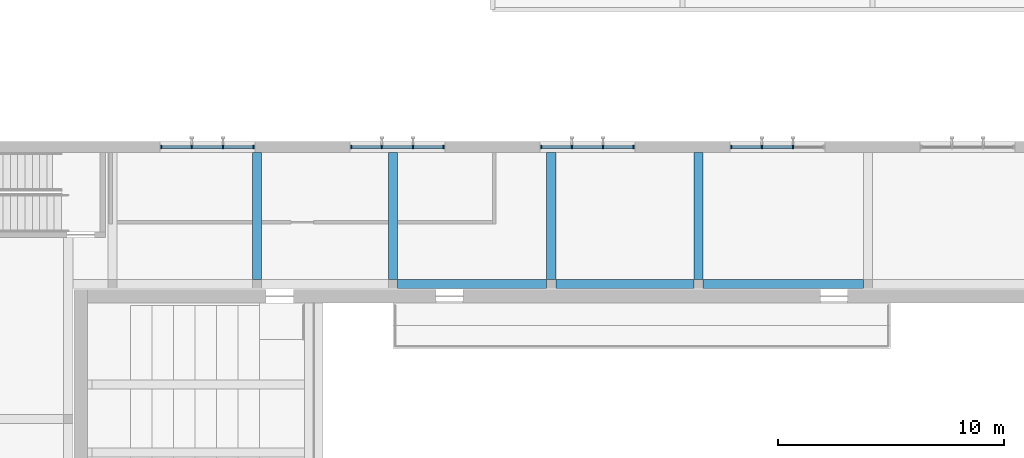
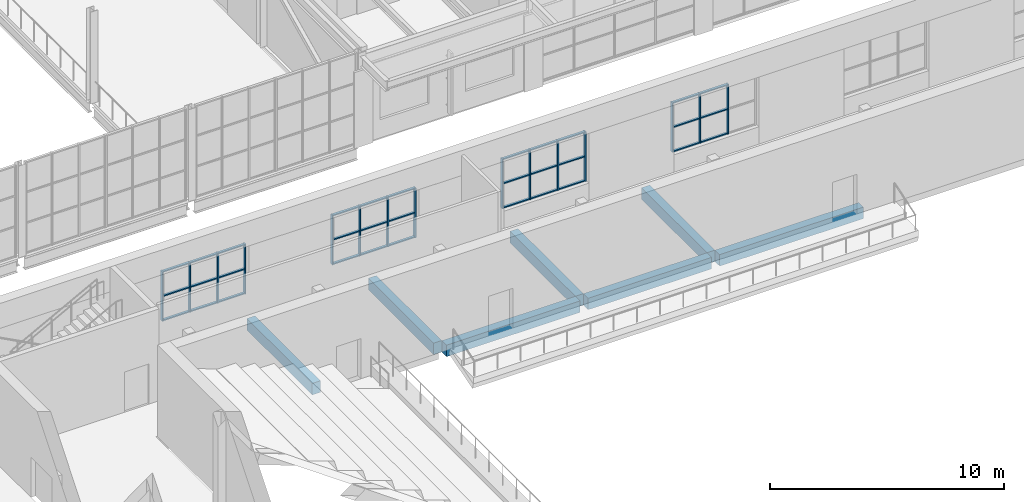
# One storey, part 34 of 116: 48 members, 7 beams, 4 elements without a shape of their own.
"""IFC4 building model written with IfcOpenShell, lengths in metres."""

from ifc_helpers import new_model, si_unit, direction, frame, origin, origin_2d, place, context, subcontext, project, spatial, rectangle, extrude, material, material_profile, profile_set, type_object, element, aggregate, save


model = new_model("IFC4")

# Units and contexts
model_context = context("Model", 3, precision=1e-05, world=origin(), true_north=direction((0.0, 1.0)))
body_context = subcontext(model_context, "Body", "Model", "MODEL_VIEW")
ifc_project = project(units=[si_unit("LENGTHUNIT", "METRE"), si_unit("AREAUNIT", "SQUARE_METRE"), si_unit("VOLUMEUNIT", "CUBIC_METRE"), si_unit("PLANEANGLEUNIT", "RADIAN"), si_unit("MASSUNIT", "GRAM", prefix="KILO")], contexts=[model_context])

# Site, building, storey
site_placement = place(None, origin())
site = spatial("IfcSite", under=ifc_project, at=site_placement, CompositionType="ELEMENT")
building_placement = place(site_placement, origin())
building = spatial("IfcBuilding", under=site, at=building_placement, Name="Ljudholm Concert House", CompositionType="ELEMENT")
storey_placement = place(building_placement, frame((0.0, 0.0, 10.199951171875)))
storey = spatial("IfcBuildingStorey", under=building, at=storey_placement, Name="L02", CompositionType="ELEMENT", Elevation=10.199951171875)

# Curtain wall, members
ifc_material_1 = material(Name="Aluminium curtain wall with impact-rated laminated glass", Category="aluminium")
curtain_wall_type = type_object("IfcCurtainWallType", Name="CURTAIN WALL 1400", PredefinedType="NOTDEFINED", material=ifc_material_1)
curtain_wall_1_placement = place(storey_placement, origin())
curtain_wall_1 = element("IfcCurtainWall", 1, at=curtain_wall_1_placement, inside=storey, type_object=curtain_wall_type, Name="Promenade curtain wall", PredefinedType="NOTDEFINED")
ifc_material_2 = material(Name="Aluminium extrusion", Category="aluminium")
ifc_material_profile_1 = material_profile(ifc_material_2, rectangle(XDim=0.159912109375, YDim=0.06005859375, at=origin_2d()), Name="MULLION 60x160")
ifc_profile_set_1 = profile_set([ifc_material_profile_1], Name="Aluminium extrusion")
member_type_1 = type_object("IfcMemberType", Name="MULLION 60x160", PredefinedType="MULLION", material=ifc_profile_set_1)
member_1_placement = place(storey_placement, frame((39.760009765625, 96.39990234375, 0.900146484375), z_axis=(0.0, 0.0, 1.0), x_axis=(0.0, 1.0, 0.0)))
member_1 = element("IfcMember", 2, at=member_1_placement, type_object=member_type_1, Name="Mullion", PredefinedType="MULLION", context=body_context, shape_type="SweptSolid", body=[
    extrude(rectangle(XDim=0.159912109375, YDim=0.06005859375, at=origin_2d()), origin(), (0.0, 0.0, 1.0), 2.599853515625),
])
member_2_placement = place(storey_placement, frame((41.110107421875, 96.39990234375, 0.900146484375), z_axis=(0.0, 0.0, 1.0), x_axis=(0.0, 1.0, 0.0)))
member_2 = element("IfcMember", 3, at=member_2_placement, type_object=member_type_1, Name="Mullion", PredefinedType="MULLION", context=body_context, shape_type="SweptSolid", body=[
    extrude(rectangle(XDim=0.159912109375, YDim=0.06005859375, at=origin_2d()), origin(), (0.0, 0.0, 1.0), 2.599853515625),
])
member_3_placement = place(storey_placement, frame((42.489990234375, 96.39990234375, 0.900146484375), z_axis=(0.0, 0.0, 1.0), x_axis=(0.0, 1.0, 0.0)))
member_3 = element("IfcMember", 4, at=member_3_placement, type_object=member_type_1, Name="Mullion", PredefinedType="MULLION", context=body_context, shape_type="SweptSolid", body=[
    extrude(rectangle(XDim=0.159912109375, YDim=0.06005859375, at=origin_2d()), origin(), (0.0, 0.0, 1.0), 2.599853515625),
])
member_4_placement = place(storey_placement, frame((43.840087890625, 96.39990234375, 0.900146484375), z_axis=(0.0, 0.0, 1.0), x_axis=(0.0, 1.0, 0.0)))
member_4 = element("IfcMember", 5, at=member_4_placement, type_object=member_type_1, Name="Mullion", PredefinedType="MULLION", context=body_context, shape_type="SweptSolid", body=[
    extrude(rectangle(XDim=0.159912109375, YDim=0.06005859375, at=origin_2d()), origin(), (0.0, 0.0, 1.0), 2.599853515625),
])

curtain_wall_2_placement = place(storey_placement, origin())
curtain_wall_2 = element("IfcCurtainWall", 6, at=curtain_wall_2_placement, inside=storey, type_object=curtain_wall_type, Name="Promenade curtain wall", PredefinedType="NOTDEFINED")
member_5_placement = place(storey_placement, frame((48.159912109375, 96.39990234375, 0.900146484375), z_axis=(0.0, 0.0, 1.0), x_axis=(0.0, 1.0, 0.0)))
member_5 = element("IfcMember", 7, at=member_5_placement, type_object=member_type_1, Name="Mullion", PredefinedType="MULLION", context=body_context, shape_type="SweptSolid", body=[
    extrude(rectangle(XDim=0.159912109375, YDim=0.06005859375, at=origin_2d()), origin(), (0.0, 0.0, 1.0), 2.599853515625),
])
member_6_placement = place(storey_placement, frame((49.510009765625, 96.39990234375, 0.900146484375), z_axis=(0.0, 0.0, 1.0), x_axis=(0.0, 1.0, 0.0)))
member_6 = element("IfcMember", 8, at=member_6_placement, type_object=member_type_1, Name="Mullion", PredefinedType="MULLION", context=body_context, shape_type="SweptSolid", body=[
    extrude(rectangle(XDim=0.159912109375, YDim=0.06005859375, at=origin_2d()), origin(), (0.0, 0.0, 1.0), 2.599853515625),
])
member_7_placement = place(storey_placement, frame((50.889892578125, 96.39990234375, 0.900146484375), z_axis=(0.0, 0.0, 1.0), x_axis=(0.0, 1.0, 0.0)))
member_7 = element("IfcMember", 9, at=member_7_placement, type_object=member_type_1, Name="Mullion", PredefinedType="MULLION", context=body_context, shape_type="SweptSolid", body=[
    extrude(rectangle(XDim=0.159912109375, YDim=0.06005859375, at=origin_2d()), origin(), (0.0, 0.0, 1.0), 2.599853515625),
])
member_8_placement = place(storey_placement, frame((52.239990234375, 96.39990234375, 0.900146484375), z_axis=(0.0, 0.0, 1.0), x_axis=(0.0, 1.0, 0.0)))
member_8 = element("IfcMember", 10, at=member_8_placement, type_object=member_type_1, Name="Mullion", PredefinedType="MULLION", context=body_context, shape_type="SweptSolid", body=[
    extrude(rectangle(XDim=0.159912109375, YDim=0.06005859375, at=origin_2d()), origin(), (0.0, 0.0, 1.0), 2.599853515625),
])

curtain_wall_3_placement = place(storey_placement, origin())
curtain_wall_3 = element("IfcCurtainWall", 11, at=curtain_wall_3_placement, inside=storey, type_object=curtain_wall_type, Name="Promenade curtain wall", PredefinedType="NOTDEFINED")
member_9_placement = place(storey_placement, frame((56.56005859375, 96.39990234375, 0.900146484375), z_axis=(0.0, 0.0, 1.0), x_axis=(0.0, 1.0, 0.0)))
member_9 = element("IfcMember", 12, at=member_9_placement, type_object=member_type_1, Name="Mullion", PredefinedType="MULLION", context=body_context, shape_type="SweptSolid", body=[
    extrude(rectangle(XDim=0.159912109375, YDim=0.06005859375, at=origin_2d()), origin(), (0.0, 0.0, 1.0), 2.599853515625),
])
member_10_placement = place(storey_placement, frame((57.909912109375, 96.39990234375, 0.900146484375), z_axis=(0.0, 0.0, 1.0), x_axis=(0.0, 1.0, 0.0)))
member_10 = element("IfcMember", 13, at=member_10_placement, type_object=member_type_1, Name="Mullion", PredefinedType="MULLION", context=body_context, shape_type="SweptSolid", body=[
    extrude(rectangle(XDim=0.159912109375, YDim=0.06005859375, at=origin_2d()), origin(), (0.0, 0.0, 1.0), 2.599853515625),
])
member_11_placement = place(storey_placement, frame((59.2900390625, 96.39990234375, 0.900146484375), z_axis=(0.0, 0.0, 1.0), x_axis=(0.0, 1.0, 0.0)))
member_11 = element("IfcMember", 14, at=member_11_placement, type_object=member_type_1, Name="Mullion", PredefinedType="MULLION", context=body_context, shape_type="SweptSolid", body=[
    extrude(rectangle(XDim=0.159912109375, YDim=0.06005859375, at=origin_2d()), origin(), (0.0, 0.0, 1.0), 2.599853515625),
])
member_12_placement = place(storey_placement, frame((60.639892578125, 96.39990234375, 0.900146484375), z_axis=(0.0, 0.0, 1.0), x_axis=(0.0, 1.0, 0.0)))
member_12 = element("IfcMember", 15, at=member_12_placement, type_object=member_type_1, Name="Mullion", PredefinedType="MULLION", context=body_context, shape_type="SweptSolid", body=[
    extrude(rectangle(XDim=0.159912109375, YDim=0.06005859375, at=origin_2d()), origin(), (0.0, 0.0, 1.0), 2.599853515625),
])

curtain_wall_4_placement = place(storey_placement, origin())
curtain_wall_4 = element("IfcCurtainWall", 16, at=curtain_wall_4_placement, inside=storey, type_object=curtain_wall_type, Name="Promenade curtain wall", PredefinedType="NOTDEFINED")
member_13_placement = place(storey_placement, frame((64.9599609375, 96.39990234375, 0.900146484375), z_axis=(0.0, 0.0, 1.0), x_axis=(0.0, 1.0, 0.0)))
member_13 = element("IfcMember", 17, at=member_13_placement, type_object=member_type_1, Name="Mullion", PredefinedType="MULLION", context=body_context, shape_type="SweptSolid", body=[
    extrude(rectangle(XDim=0.159912109375, YDim=0.06005859375, at=origin_2d()), origin(), (0.0, 0.0, 1.0), 2.599853515625),
])
member_14_placement = place(storey_placement, frame((66.31005859375, 96.39990234375, 0.900146484375), z_axis=(0.0, 0.0, 1.0), x_axis=(0.0, 1.0, 0.0)))
member_14 = element("IfcMember", 18, at=member_14_placement, type_object=member_type_1, Name="Mullion", PredefinedType="MULLION", context=body_context, shape_type="SweptSolid", body=[
    extrude(rectangle(XDim=0.159912109375, YDim=0.06005859375, at=origin_2d()), origin(), (0.0, 0.0, 1.0), 2.599853515625),
])
member_15_placement = place(storey_placement, frame((67.68994140625, 96.39990234375, 0.900146484375), z_axis=(0.0, 0.0, 1.0), x_axis=(0.0, 1.0, 0.0)))
member_15 = element("IfcMember", 19, at=member_15_placement, type_object=member_type_1, Name="Mullion", PredefinedType="MULLION", context=body_context, shape_type="SweptSolid", body=[
    extrude(rectangle(XDim=0.159912109375, YDim=0.06005859375, at=origin_2d()), origin(), (0.0, 0.0, 1.0), 2.599853515625),
])

# Beams
ifc_material_3 = material(Name="Concrete 6,500 psi", Category="concrete")
ifc_material_profile_2 = material_profile(ifc_material_3, rectangle(XDim=0.39990234375, YDim=0.60009765625, at=origin_2d()), Name="RC BEAM 400x600")
ifc_profile_set_2 = profile_set([ifc_material_profile_2], Name="Concrete 6,500 psi")
beam_type = type_object("IfcBeamType", Name="RC BEAM 400x600", PredefinedType="BEAM", material=ifc_profile_set_2)
beam_1_placement = place(storey_placement, frame((50.199951171875, 90.35009765625, -0.550048828125), z_axis=(1.0, 0.0, 0.0), x_axis=(0.0, 1.0, 0.0)))
element("IfcBeam", 20, at=beam_1_placement, inside=storey, type_object=beam_type, Name="Ring beam", PredefinedType="BEAM", context=body_context, shape_type="SweptSolid", body=[
    extrude(rectangle(XDim=0.39990234375, YDim=0.60009765625, at=origin_2d()), origin(), (0.0, 0.0, 1.0), 6.60009765625),
])
beam_2_placement = place(storey_placement, frame((57.199951171875, 90.35009765625, -0.550048828125), z_axis=(1.0, 0.0, 0.0), x_axis=(0.0, 1.0, 0.0)))
element("IfcBeam", 21, at=beam_2_placement, inside=storey, type_object=beam_type, Name="Ring beam", PredefinedType="BEAM", context=body_context, shape_type="SweptSolid", body=[
    extrude(rectangle(XDim=0.39990234375, YDim=0.60009765625, at=origin_2d()), origin(), (0.0, 0.0, 1.0), 6.10009765625),
])
beam_3_placement = place(storey_placement, frame((63.699951171875, 90.35009765625, -0.550048828125), z_axis=(1.0, 0.0, 0.0), x_axis=(0.0, 1.0, 0.0)))
element("IfcBeam", 22, at=beam_3_placement, inside=storey, type_object=beam_type, Name="Ring beam", PredefinedType="BEAM", context=body_context, shape_type="SweptSolid", body=[
    extrude(rectangle(XDim=0.39990234375, YDim=0.60009765625, at=origin_2d()), origin(), (0.0, 0.0, 1.0), 7.10009765625),
])
for number, where, z_axis, x_axis, name in (
    (23, (44.0, 90.550048828125, -0.550048828125), (0.0, 1.0, 0.0), (-1.0, 0.0, 0.0), "Ring cross beam"),
    (24, (50.0, 90.550048828125, -0.550048828125), (0.0, 1.0, 0.0), (-1.0, 0.0, 0.0), "Ring cross beam"),
    (25, (57.0, 90.550048828125, -0.550048828125), (0.0, 1.0, 0.0), (-1.0, 0.0, 0.0), "Ring cross beam"),
    (26, (63.5, 90.550048828125, -0.550048828125), (0.0, 1.0, 0.0), (-1.0, 0.0, 0.0), "Ring cross beam"),
):
    element("IfcBeam", number, at=place(storey_placement, frame(where, z_axis=z_axis, x_axis=x_axis)), inside=storey, type_object=beam_type, Name=name, PredefinedType="BEAM", context=body_context, shape_type="SweptSolid", body=[
        extrude(rectangle(XDim=0.39990234375, YDim=0.60009765625, at=origin_2d()), origin(), (0.0, 0.0, 1.0), 5.599853515625),
    ])

# Member
ifc_material_4 = material(Name="Aluminium extrusion", Category="aluminium")
ifc_material_profile_3 = material_profile(ifc_material_4, rectangle(XDim=0.1201171875, YDim=0.06005859375, at=origin_2d()), Name="TRANSOM 60x120")
ifc_profile_set_3 = profile_set([ifc_material_profile_3], Name="Aluminium extrusion")
member_type_2 = type_object("IfcMemberType", Name="TRANSOM 60x120", PredefinedType="USERDEFINED", material=ifc_profile_set_3)
member_16_placement = place(storey_placement, frame((39.7900390625, 96.39990234375, 0.929931640625), z_axis=(1.0, 0.0, 0.0), x_axis=(0.0, 1.0, 0.0)))
member_16 = element("IfcMember", 27, at=member_16_placement, type_object=member_type_2, Name="Transom", ObjectType="TRANSOM", PredefinedType="USERDEFINED", context=body_context, shape_type="SweptSolid", body=[
    extrude(rectangle(XDim=0.1201171875, YDim=0.06005859375, at=origin_2d()), origin(), (0.0, 0.0, 1.0), 1.2900390625),
])

member_17_placement = place(storey_placement, frame((39.7900390625, 96.39990234375, 2.199951171875), z_axis=(1.0, 0.0, 0.0), x_axis=(0.0, 1.0, 0.0)))
member_17 = element("IfcMember", 28, at=member_17_placement, type_object=member_type_2, Name="Transom", ObjectType="TRANSOM", PredefinedType="USERDEFINED", context=body_context, shape_type="SweptSolid", body=[
    extrude(rectangle(XDim=0.1201171875, YDim=0.06005859375, at=origin_2d()), origin(), (0.0, 0.0, 1.0), 1.2900390625),
])

member_18_placement = place(storey_placement, frame((39.7900390625, 96.39990234375, 3.469970703125), z_axis=(1.0, 0.0, 0.0), x_axis=(0.0, 1.0, 0.0)))
member_18 = element("IfcMember", 29, at=member_18_placement, type_object=member_type_2, Name="Transom", ObjectType="TRANSOM", PredefinedType="USERDEFINED", context=body_context, shape_type="SweptSolid", body=[
    extrude(rectangle(XDim=0.1201171875, YDim=0.06005859375, at=origin_2d()), origin(), (0.0, 0.0, 1.0), 1.2900390625),
])

member_19_placement = place(storey_placement, frame((41.139892578125, 96.39990234375, 0.929931640625), z_axis=(1.0, 0.0, 0.0), x_axis=(0.0, 1.0, 0.0)))
member_19 = element("IfcMember", 30, at=member_19_placement, type_object=member_type_2, Name="Transom", ObjectType="TRANSOM", PredefinedType="USERDEFINED", context=body_context, shape_type="SweptSolid", body=[
    extrude(rectangle(XDim=0.1201171875, YDim=0.06005859375, at=origin_2d()), origin(), (0.0, 0.0, 1.0), 1.320068359375),
])

member_20_placement = place(storey_placement, frame((41.139892578125, 96.39990234375, 2.199951171875), z_axis=(1.0, 0.0, 0.0), x_axis=(0.0, 1.0, 0.0)))
member_20 = element("IfcMember", 31, at=member_20_placement, type_object=member_type_2, Name="Transom", ObjectType="TRANSOM", PredefinedType="USERDEFINED", context=body_context, shape_type="SweptSolid", body=[
    extrude(rectangle(XDim=0.1201171875, YDim=0.06005859375, at=origin_2d()), origin(), (0.0, 0.0, 1.0), 1.320068359375),
])

member_21_placement = place(storey_placement, frame((41.139892578125, 96.39990234375, 3.469970703125), z_axis=(1.0, 0.0, 0.0), x_axis=(0.0, 1.0, 0.0)))
member_21 = element("IfcMember", 32, at=member_21_placement, type_object=member_type_2, Name="Transom", ObjectType="TRANSOM", PredefinedType="USERDEFINED", context=body_context, shape_type="SweptSolid", body=[
    extrude(rectangle(XDim=0.1201171875, YDim=0.06005859375, at=origin_2d()), origin(), (0.0, 0.0, 1.0), 1.320068359375),
])

member_22_placement = place(storey_placement, frame((42.52001953125, 96.39990234375, 0.929931640625), z_axis=(1.0, 0.0, 0.0), x_axis=(0.0, 1.0, 0.0)))
member_22 = element("IfcMember", 33, at=member_22_placement, type_object=member_type_2, Name="Transom", ObjectType="TRANSOM", PredefinedType="USERDEFINED", context=body_context, shape_type="SweptSolid", body=[
    extrude(rectangle(XDim=0.1201171875, YDim=0.06005859375, at=origin_2d()), origin(), (0.0, 0.0, 1.0), 1.2900390625),
])

member_23_placement = place(storey_placement, frame((42.52001953125, 96.39990234375, 2.199951171875), z_axis=(1.0, 0.0, 0.0), x_axis=(0.0, 1.0, 0.0)))
member_23 = element("IfcMember", 34, at=member_23_placement, type_object=member_type_2, Name="Transom", ObjectType="TRANSOM", PredefinedType="USERDEFINED", context=body_context, shape_type="SweptSolid", body=[
    extrude(rectangle(XDim=0.1201171875, YDim=0.06005859375, at=origin_2d()), origin(), (0.0, 0.0, 1.0), 1.2900390625),
])

member_24_placement = place(storey_placement, frame((42.52001953125, 96.39990234375, 3.469970703125), z_axis=(1.0, 0.0, 0.0), x_axis=(0.0, 1.0, 0.0)))
member_24 = element("IfcMember", 35, at=member_24_placement, type_object=member_type_2, Name="Transom", ObjectType="TRANSOM", PredefinedType="USERDEFINED", context=body_context, shape_type="SweptSolid", body=[
    extrude(rectangle(XDim=0.1201171875, YDim=0.06005859375, at=origin_2d()), origin(), (0.0, 0.0, 1.0), 1.2900390625),
])

aggregate(curtain_wall_1, [member_1, member_2, member_3, member_4, member_16, member_17, member_18, member_19, member_20, member_21, member_22, member_23, member_24])

member_25_placement = place(storey_placement, frame((48.18994140625, 96.39990234375, 0.929931640625), z_axis=(1.0, 0.0, 0.0), x_axis=(0.0, 1.0, 0.0)))
member_25 = element("IfcMember", 36, at=member_25_placement, type_object=member_type_2, Name="Transom", ObjectType="TRANSOM", PredefinedType="USERDEFINED", context=body_context, shape_type="SweptSolid", body=[
    extrude(rectangle(XDim=0.1201171875, YDim=0.06005859375, at=origin_2d()), origin(), (0.0, 0.0, 1.0), 1.2900390625),
])

member_26_placement = place(storey_placement, frame((48.18994140625, 96.39990234375, 2.199951171875), z_axis=(1.0, 0.0, 0.0), x_axis=(0.0, 1.0, 0.0)))
member_26 = element("IfcMember", 37, at=member_26_placement, type_object=member_type_2, Name="Transom", ObjectType="TRANSOM", PredefinedType="USERDEFINED", context=body_context, shape_type="SweptSolid", body=[
    extrude(rectangle(XDim=0.1201171875, YDim=0.06005859375, at=origin_2d()), origin(), (0.0, 0.0, 1.0), 1.2900390625),
])

member_27_placement = place(storey_placement, frame((48.18994140625, 96.39990234375, 3.469970703125), z_axis=(1.0, 0.0, 0.0), x_axis=(0.0, 1.0, 0.0)))
member_27 = element("IfcMember", 38, at=member_27_placement, type_object=member_type_2, Name="Transom", ObjectType="TRANSOM", PredefinedType="USERDEFINED", context=body_context, shape_type="SweptSolid", body=[
    extrude(rectangle(XDim=0.1201171875, YDim=0.06005859375, at=origin_2d()), origin(), (0.0, 0.0, 1.0), 1.2900390625),
])

member_28_placement = place(storey_placement, frame((49.5400390625, 96.39990234375, 0.929931640625), z_axis=(1.0, 0.0, 0.0), x_axis=(0.0, 1.0, 0.0)))
member_28 = element("IfcMember", 39, at=member_28_placement, type_object=member_type_2, Name="Transom", ObjectType="TRANSOM", PredefinedType="USERDEFINED", context=body_context, shape_type="SweptSolid", body=[
    extrude(rectangle(XDim=0.1201171875, YDim=0.06005859375, at=origin_2d()), origin(), (0.0, 0.0, 1.0), 1.320068359375),
])

member_29_placement = place(storey_placement, frame((49.5400390625, 96.39990234375, 2.199951171875), z_axis=(1.0, 0.0, 0.0), x_axis=(0.0, 1.0, 0.0)))
member_29 = element("IfcMember", 40, at=member_29_placement, type_object=member_type_2, Name="Transom", ObjectType="TRANSOM", PredefinedType="USERDEFINED", context=body_context, shape_type="SweptSolid", body=[
    extrude(rectangle(XDim=0.1201171875, YDim=0.06005859375, at=origin_2d()), origin(), (0.0, 0.0, 1.0), 1.320068359375),
])

member_30_placement = place(storey_placement, frame((49.5400390625, 96.39990234375, 3.469970703125), z_axis=(1.0, 0.0, 0.0), x_axis=(0.0, 1.0, 0.0)))
member_30 = element("IfcMember", 41, at=member_30_placement, type_object=member_type_2, Name="Transom", ObjectType="TRANSOM", PredefinedType="USERDEFINED", context=body_context, shape_type="SweptSolid", body=[
    extrude(rectangle(XDim=0.1201171875, YDim=0.06005859375, at=origin_2d()), origin(), (0.0, 0.0, 1.0), 1.320068359375),
])

member_31_placement = place(storey_placement, frame((50.919921875, 96.39990234375, 0.929931640625), z_axis=(1.0, 0.0, 0.0), x_axis=(0.0, 1.0, 0.0)))
member_31 = element("IfcMember", 42, at=member_31_placement, type_object=member_type_2, Name="Transom", ObjectType="TRANSOM", PredefinedType="USERDEFINED", context=body_context, shape_type="SweptSolid", body=[
    extrude(rectangle(XDim=0.1201171875, YDim=0.06005859375, at=origin_2d()), origin(), (0.0, 0.0, 1.0), 1.2900390625),
])

member_32_placement = place(storey_placement, frame((50.919921875, 96.39990234375, 2.199951171875), z_axis=(1.0, 0.0, 0.0), x_axis=(0.0, 1.0, 0.0)))
member_32 = element("IfcMember", 43, at=member_32_placement, type_object=member_type_2, Name="Transom", ObjectType="TRANSOM", PredefinedType="USERDEFINED", context=body_context, shape_type="SweptSolid", body=[
    extrude(rectangle(XDim=0.1201171875, YDim=0.06005859375, at=origin_2d()), origin(), (0.0, 0.0, 1.0), 1.2900390625),
])

member_33_placement = place(storey_placement, frame((50.919921875, 96.39990234375, 3.469970703125), z_axis=(1.0, 0.0, 0.0), x_axis=(0.0, 1.0, 0.0)))
member_33 = element("IfcMember", 44, at=member_33_placement, type_object=member_type_2, Name="Transom", ObjectType="TRANSOM", PredefinedType="USERDEFINED", context=body_context, shape_type="SweptSolid", body=[
    extrude(rectangle(XDim=0.1201171875, YDim=0.06005859375, at=origin_2d()), origin(), (0.0, 0.0, 1.0), 1.2900390625),
])

aggregate(curtain_wall_2, [member_5, member_6, member_7, member_8, member_25, member_26, member_27, member_28, member_29, member_30, member_31, member_32, member_33])

member_34_placement = place(storey_placement, frame((56.590087890625, 96.39990234375, 0.929931640625), z_axis=(1.0, 0.0, 0.0), x_axis=(0.0, 1.0, 0.0)))
member_34 = element("IfcMember", 45, at=member_34_placement, type_object=member_type_2, Name="Transom", ObjectType="TRANSOM", PredefinedType="USERDEFINED", context=body_context, shape_type="SweptSolid", body=[
    extrude(rectangle(XDim=0.1201171875, YDim=0.06005859375, at=origin_2d()), origin(), (0.0, 0.0, 1.0), 1.289794921875),
])

member_35_placement = place(storey_placement, frame((56.590087890625, 96.39990234375, 2.199951171875), z_axis=(1.0, 0.0, 0.0), x_axis=(0.0, 1.0, 0.0)))
member_35 = element("IfcMember", 46, at=member_35_placement, type_object=member_type_2, Name="Transom", ObjectType="TRANSOM", PredefinedType="USERDEFINED", context=body_context, shape_type="SweptSolid", body=[
    extrude(rectangle(XDim=0.1201171875, YDim=0.06005859375, at=origin_2d()), origin(), (0.0, 0.0, 1.0), 1.289794921875),
])

member_36_placement = place(storey_placement, frame((56.590087890625, 96.39990234375, 3.469970703125), z_axis=(1.0, 0.0, 0.0), x_axis=(0.0, 1.0, 0.0)))
member_36 = element("IfcMember", 47, at=member_36_placement, type_object=member_type_2, Name="Transom", ObjectType="TRANSOM", PredefinedType="USERDEFINED", context=body_context, shape_type="SweptSolid", body=[
    extrude(rectangle(XDim=0.1201171875, YDim=0.06005859375, at=origin_2d()), origin(), (0.0, 0.0, 1.0), 1.289794921875),
])

member_37_placement = place(storey_placement, frame((57.93994140625, 96.39990234375, 0.929931640625), z_axis=(1.0, 0.0, 0.0), x_axis=(0.0, 1.0, 0.0)))
member_37 = element("IfcMember", 48, at=member_37_placement, type_object=member_type_2, Name="Transom", ObjectType="TRANSOM", PredefinedType="USERDEFINED", context=body_context, shape_type="SweptSolid", body=[
    extrude(rectangle(XDim=0.1201171875, YDim=0.06005859375, at=origin_2d()), origin(), (0.0, 0.0, 1.0), 1.320068359375),
])

member_38_placement = place(storey_placement, frame((57.93994140625, 96.39990234375, 2.199951171875), z_axis=(1.0, 0.0, 0.0), x_axis=(0.0, 1.0, 0.0)))
member_38 = element("IfcMember", 49, at=member_38_placement, type_object=member_type_2, Name="Transom", ObjectType="TRANSOM", PredefinedType="USERDEFINED", context=body_context, shape_type="SweptSolid", body=[
    extrude(rectangle(XDim=0.1201171875, YDim=0.06005859375, at=origin_2d()), origin(), (0.0, 0.0, 1.0), 1.320068359375),
])

member_39_placement = place(storey_placement, frame((57.93994140625, 96.39990234375, 3.469970703125), z_axis=(1.0, 0.0, 0.0), x_axis=(0.0, 1.0, 0.0)))
member_39 = element("IfcMember", 50, at=member_39_placement, type_object=member_type_2, Name="Transom", ObjectType="TRANSOM", PredefinedType="USERDEFINED", context=body_context, shape_type="SweptSolid", body=[
    extrude(rectangle(XDim=0.1201171875, YDim=0.06005859375, at=origin_2d()), origin(), (0.0, 0.0, 1.0), 1.320068359375),
])

member_40_placement = place(storey_placement, frame((59.320068359375, 96.39990234375, 0.929931640625), z_axis=(1.0, 0.0, 0.0), x_axis=(0.0, 1.0, 0.0)))
member_40 = element("IfcMember", 51, at=member_40_placement, type_object=member_type_2, Name="Transom", ObjectType="TRANSOM", PredefinedType="USERDEFINED", context=body_context, shape_type="SweptSolid", body=[
    extrude(rectangle(XDim=0.1201171875, YDim=0.06005859375, at=origin_2d()), origin(), (0.0, 0.0, 1.0), 1.2900390625),
])

member_41_placement = place(storey_placement, frame((59.320068359375, 96.39990234375, 2.199951171875), z_axis=(1.0, 0.0, 0.0), x_axis=(0.0, 1.0, 0.0)))
member_41 = element("IfcMember", 52, at=member_41_placement, type_object=member_type_2, Name="Transom", ObjectType="TRANSOM", PredefinedType="USERDEFINED", context=body_context, shape_type="SweptSolid", body=[
    extrude(rectangle(XDim=0.1201171875, YDim=0.06005859375, at=origin_2d()), origin(), (0.0, 0.0, 1.0), 1.2900390625),
])

member_42_placement = place(storey_placement, frame((59.320068359375, 96.39990234375, 3.469970703125), z_axis=(1.0, 0.0, 0.0), x_axis=(0.0, 1.0, 0.0)))
member_42 = element("IfcMember", 53, at=member_42_placement, type_object=member_type_2, Name="Transom", ObjectType="TRANSOM", PredefinedType="USERDEFINED", context=body_context, shape_type="SweptSolid", body=[
    extrude(rectangle(XDim=0.1201171875, YDim=0.06005859375, at=origin_2d()), origin(), (0.0, 0.0, 1.0), 1.2900390625),
])

aggregate(curtain_wall_3, [member_9, member_10, member_11, member_12, member_34, member_35, member_36, member_37, member_38, member_39, member_40, member_41, member_42])

member_43_placement = place(storey_placement, frame((64.989990234375, 96.39990234375, 0.929931640625), z_axis=(1.0, 0.0, 0.0), x_axis=(0.0, 1.0, 0.0)))
member_43 = element("IfcMember", 54, at=member_43_placement, type_object=member_type_2, Name="Transom", ObjectType="TRANSOM", PredefinedType="USERDEFINED", context=body_context, shape_type="SweptSolid", body=[
    extrude(rectangle(XDim=0.1201171875, YDim=0.06005859375, at=origin_2d()), origin(), (0.0, 0.0, 1.0), 1.2900390625),
])

member_44_placement = place(storey_placement, frame((64.989990234375, 96.39990234375, 2.199951171875), z_axis=(1.0, 0.0, 0.0), x_axis=(0.0, 1.0, 0.0)))
member_44 = element("IfcMember", 55, at=member_44_placement, type_object=member_type_2, Name="Transom", ObjectType="TRANSOM", PredefinedType="USERDEFINED", context=body_context, shape_type="SweptSolid", body=[
    extrude(rectangle(XDim=0.1201171875, YDim=0.06005859375, at=origin_2d()), origin(), (0.0, 0.0, 1.0), 1.2900390625),
])

member_45_placement = place(storey_placement, frame((64.989990234375, 96.39990234375, 3.469970703125), z_axis=(1.0, 0.0, 0.0), x_axis=(0.0, 1.0, 0.0)))
member_45 = element("IfcMember", 56, at=member_45_placement, type_object=member_type_2, Name="Transom", ObjectType="TRANSOM", PredefinedType="USERDEFINED", context=body_context, shape_type="SweptSolid", body=[
    extrude(rectangle(XDim=0.1201171875, YDim=0.06005859375, at=origin_2d()), origin(), (0.0, 0.0, 1.0), 1.2900390625),
])

member_46_placement = place(storey_placement, frame((66.340087890625, 96.39990234375, 0.929931640625), z_axis=(1.0, 0.0, 0.0), x_axis=(0.0, 1.0, 0.0)))
member_46 = element("IfcMember", 57, at=member_46_placement, type_object=member_type_2, Name="Transom", ObjectType="TRANSOM", PredefinedType="USERDEFINED", context=body_context, shape_type="SweptSolid", body=[
    extrude(rectangle(XDim=0.1201171875, YDim=0.06005859375, at=origin_2d()), origin(), (0.0, 0.0, 1.0), 1.31982421875),
])

member_47_placement = place(storey_placement, frame((66.340087890625, 96.39990234375, 2.199951171875), z_axis=(1.0, 0.0, 0.0), x_axis=(0.0, 1.0, 0.0)))
member_47 = element("IfcMember", 58, at=member_47_placement, type_object=member_type_2, Name="Transom", ObjectType="TRANSOM", PredefinedType="USERDEFINED", context=body_context, shape_type="SweptSolid", body=[
    extrude(rectangle(XDim=0.1201171875, YDim=0.06005859375, at=origin_2d()), origin(), (0.0, 0.0, 1.0), 1.31982421875),
])

member_48_placement = place(storey_placement, frame((66.340087890625, 96.39990234375, 3.469970703125), z_axis=(1.0, 0.0, 0.0), x_axis=(0.0, 1.0, 0.0)))
member_48 = element("IfcMember", 59, at=member_48_placement, type_object=member_type_2, Name="Transom", ObjectType="TRANSOM", PredefinedType="USERDEFINED", context=body_context, shape_type="SweptSolid", body=[
    extrude(rectangle(XDim=0.1201171875, YDim=0.06005859375, at=origin_2d()), origin(), (0.0, 0.0, 1.0), 1.31982421875),
])

aggregate(curtain_wall_4, [member_13, member_14, member_15, member_43, member_44, member_45, member_46, member_47, member_48])

save(model, "model.ifc")
